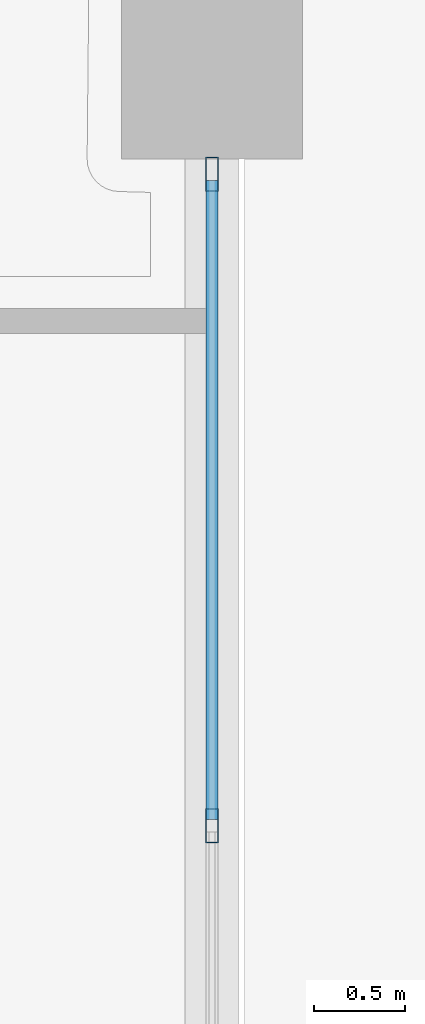
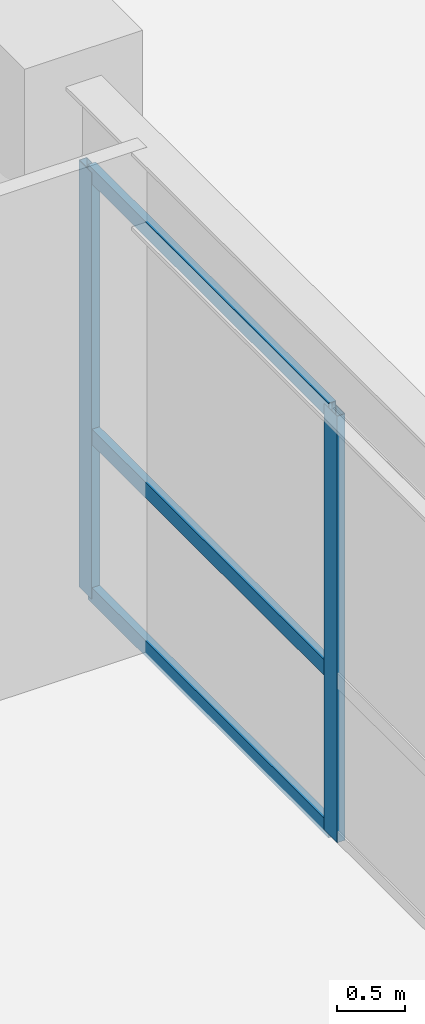
# One storey, part 7 of 40: 5 members, 1 element without a shape of its own.
"""IFC4 building model written with IfcOpenShell, lengths in metres."""

from ifc_helpers import new_model, si_unit, derived_unit, direction, frame, origin, origin_2d, place, context, subcontext, project, spatial, hollow_rectangle, extrude, source, transform, mapped, material, layer, layer_set, material_profile, profile_set, type_object, element, aggregate, save


model = new_model("IFC4")

# Units and contexts
model_context = context("Model", 3, precision=1e-05, world=origin(), true_north=direction((0.0, 1.0)))
body_context = subcontext(model_context, "Body", "Model", "MODEL_VIEW")
ifc_project = project(units=[si_unit("LENGTHUNIT", "METRE"), si_unit("AREAUNIT", "SQUARE_METRE"), si_unit("VOLUMEUNIT", "CUBIC_METRE"), si_unit("PLANEANGLEUNIT", "RADIAN"), si_unit("MASSUNIT", "GRAM", prefix="KILO"), derived_unit("THERMALTRANSMITTANCEUNIT", [(si_unit("POWERUNIT", "WATT"), 1), (si_unit("LENGTHUNIT", "METRE"), -2), (si_unit("THERMODYNAMICTEMPERATUREUNIT", "KELVIN"), -1)])], contexts=[model_context])

# Site, building, storey
site_placement = place(None, origin())
site = spatial("IfcSite", under=ifc_project, at=site_placement, CompositionType="ELEMENT")
building_placement = place(site_placement, origin())
building = spatial("IfcBuilding", under=site, at=building_placement, Name="Korsvarv Bourse and Concert Hall", CompositionType="ELEMENT")
storey_placement = place(building_placement, origin())
storey = spatial("IfcBuildingStorey", under=building, at=storey_placement, Name="L00", CompositionType="ELEMENT", Elevation=0.0)

# Curtain wall, members
ifc_material_1 = material(Name="Anodised aluminium and triple low-E glazing", Category="glass")
ifc_layer = layer(ifc_material_1, 0.239990234375)
ifc_layer_set = layer_set([ifc_layer], Name="Anodised aluminium and triple low-E glazing")
curtain_wall_type = type_object("IfcCurtainWallType", Name="CW-SYS-5", PredefinedType="NOTDEFINED", material=ifc_layer_set)
curtain_wall_placement = place(storey_placement, origin())
curtain_wall = element("IfcCurtainWall", 1, at=curtain_wall_placement, inside=storey, type_object=curtain_wall_type, Name="L00 CW5 curtain wall CW-L00-E1", PredefinedType="NOTDEFINED")
ifc_material_2 = material(Name="Extruded aluminium EN AW-6063 T66", Category="aluminium")
ifc_material_profile_1 = material_profile(ifc_material_2, hollow_rectangle(XDim=0.070068359375, YDim=0.18994140625, WallThickness=0.0048828125, at=origin_2d()), Name="ALU-M 70x190")
ifc_profile_set_1 = profile_set([ifc_material_profile_1], Name="Extruded aluminium EN AW-6063 T66")
member_type_1 = type_object("IfcMemberType", Name="CWM-190", PredefinedType="MULLION", material=ifc_profile_set_1)
shared_shape_1 = source(origin(), body_context, "Body", "SweptSolid", [
    extrude(hollow_rectangle(XDim=0.070068359375, YDim=0.18994140625, WallThickness=0.0048828125, at=origin_2d()), origin(), (0.0, 0.0, 1.0), 3.820068359375),
])
member_1_placement = place(storey_placement, frame((66.0, 11.816650390625, 0.0), z_axis=(0.0, 0.0, 1.0), x_axis=(-1.0, 0.0, 0.0)))
member_1 = element("IfcMember", 2, at=member_1_placement, type_object=member_type_1, Name="CW5 mullion 3", PredefinedType="MULLION", context=body_context, shape_type="MappedRepresentation", body=[
    mapped(shared_shape_1, transform((0.0, 0.0, 0.0), scale=1.0)),
])
member_2_placement = place(storey_placement, frame((66.0, 15.4150390625, 0.0), z_axis=(0.0, 0.0, 1.0), x_axis=(-1.0, 0.0, 0.0)))
member_2 = element("IfcMember", 3, at=member_2_placement, type_object=member_type_1, Name="CW5 mullion 4", PredefinedType="MULLION", context=body_context, shape_type="MappedRepresentation", body=[
    mapped(shared_shape_1, transform((0.0, 0.0, 0.0), scale=1.0)),
])
ifc_material_profile_2 = material_profile(ifc_material_2, hollow_rectangle(XDim=0.06494140625, YDim=0.139892578125, WallThickness=0.00390625, at=origin_2d()), Name="ALU-T 65x140")
ifc_profile_set_2 = profile_set([ifc_material_profile_2], Name="Extruded aluminium EN AW-6063 T66")
member_type_2 = type_object("IfcMemberType", Name="CWT-140", PredefinedType="USERDEFINED", material=ifc_profile_set_2)
shared_shape_2 = source(origin(), body_context, "Body", "SweptSolid", [
    extrude(hollow_rectangle(XDim=0.06494140625, YDim=0.139892578125, WallThickness=0.00390625, at=origin_2d()), origin(), (0.0, 0.0, 1.0), 3.5283203125),
])
member_3_placement = place(storey_placement, frame((66.0, 11.8515625, 0.032470703125), z_axis=(0.0, 1.0, 0.0), x_axis=(-1.0, 0.0, 0.0)))
member_3 = element("IfcMember", 4, at=member_3_placement, type_object=member_type_2, Name="CW5 transom 3.1", ObjectType="TRANSOM", PredefinedType="USERDEFINED", context=body_context, shape_type="MappedRepresentation", body=[
    mapped(shared_shape_2, transform((0.0, 0.0, 0.0), scale=1.0)),
])
member_4_placement = place(storey_placement, frame((66.0, 11.8515625, 1.45166015625), z_axis=(0.0, 1.0, 0.0), x_axis=(-1.0, 0.0, 0.0)))
member_4 = element("IfcMember", 5, at=member_4_placement, type_object=member_type_2, Name="CW5 transom 3.2", ObjectType="TRANSOM", PredefinedType="USERDEFINED", context=body_context, shape_type="MappedRepresentation", body=[
    mapped(shared_shape_2, transform((0.0, 0.0, 0.0), scale=1.0)),
])
member_5_placement = place(storey_placement, frame((66.0, 11.8515625, 3.78759765625), z_axis=(0.0, 1.0, 0.0), x_axis=(-1.0, 0.0, 0.0)))
member_5 = element("IfcMember", 6, at=member_5_placement, type_object=member_type_2, Name="CW5 transom 3.3", ObjectType="TRANSOM", PredefinedType="USERDEFINED", context=body_context, shape_type="MappedRepresentation", body=[
    mapped(shared_shape_2, transform((0.0, 0.0, 0.0), scale=1.0)),
])
aggregate(curtain_wall, [member_1, member_2, member_3, member_4, member_5])

save(model, "model.ifc")
